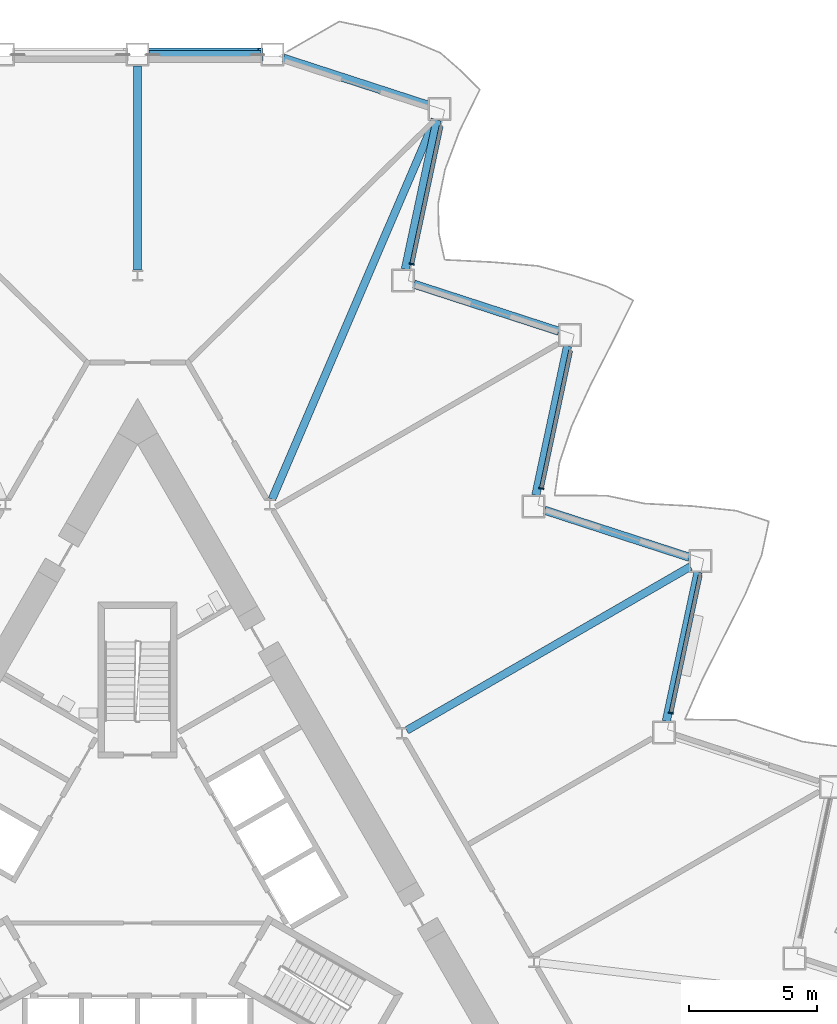
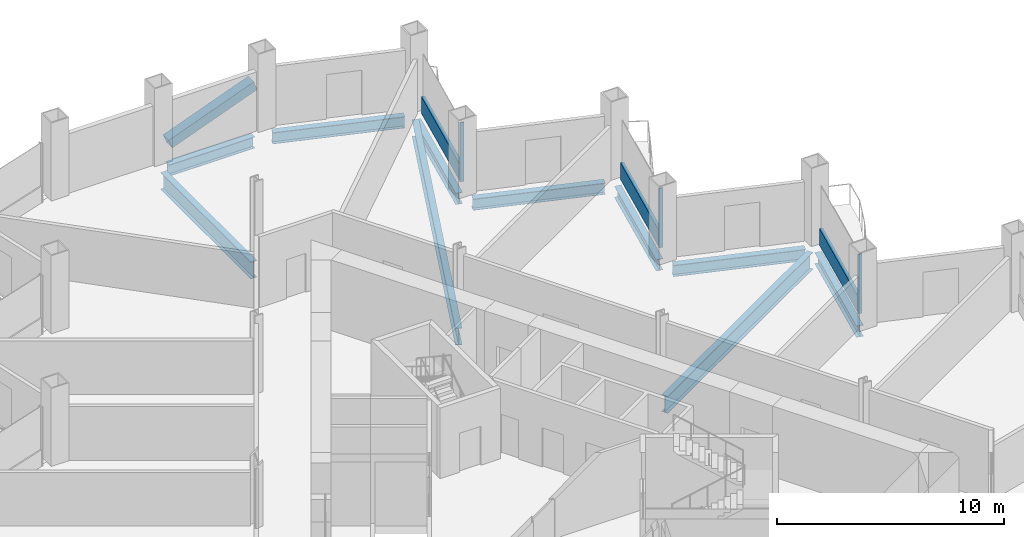
# One storey, part 8 of 21: 10 beams, 7 members, 3 elements without a shape of their own.
"""IFC4 building model written with IfcOpenShell, lengths in metres."""

from ifc_helpers import new_model, si_unit, direction, frame, origin, origin_2d, place, context, subcontext, project, spatial, rectangle, hollow_rectangle, i_section, extrude, material, layer, layer_set, material_profile, profile_set, type_object, element, aggregate, save


model = new_model("IFC4")

# Units and contexts
model_context = context("Model", 3, precision=1e-05, world=origin(), true_north=direction((0.0, 1.0)))
body_context = subcontext(model_context, "Body", "Model", "MODEL_VIEW")
ifc_project = project(units=[si_unit("LENGTHUNIT", "METRE"), si_unit("AREAUNIT", "SQUARE_METRE"), si_unit("VOLUMEUNIT", "CUBIC_METRE"), si_unit("PLANEANGLEUNIT", "RADIAN"), si_unit("MASSUNIT", "GRAM", prefix="KILO")], contexts=[model_context])

# Site, building, storey
site_placement = place(None, origin())
site = spatial("IfcSite", under=ifc_project, at=site_placement, CompositionType="ELEMENT")
building_placement = place(site_placement, origin())
building = spatial("IfcBuilding", under=site, at=building_placement, Name="Cormorant Prow Tower", CompositionType="ELEMENT")
storey_placement = place(building_placement, frame((0.0, 0.0, 137.39990234375)))
storey = spatial("IfcBuildingStorey", under=building, at=storey_placement, Name="L29", CompositionType="ELEMENT", Elevation=137.39990234375)

# Member
ifc_material_1 = material(Name="Structural steel ASTM A500 Gr C", Category="steel")
ifc_material_profile_1 = material_profile(ifc_material_1, hollow_rectangle(XDim=0.508056640625, YDim=0.508056640625, WallThickness=0.014892578125, at=origin_2d()), Name="HSS20x20x5/8")
ifc_profile_set_1 = profile_set([ifc_material_profile_1], Name="Structural steel ASTM A500 Gr C")
member_type_1 = type_object("IfcMemberType", Name="Chamfer brace HSS20x20x5/8", PredefinedType="BRACE", material=ifc_profile_set_1)
member_1_placement = place(storey_placement, frame((0.4677734375, 32.487060546875, 0.776611328125), z_axis=(0.935582009332, 0.0, 0.353109478511), x_axis=(0.0, 1.0, 0.0)))
element("IfcMember", 1, at=member_1_placement, inside=storey, type_object=member_type_1, Name="Chamfer brace BR1 at N00 L29", PredefinedType="BRACE", context=body_context, shape_type="SweptSolid", body=[
    extrude(hollow_rectangle(XDim=0.508056640625, YDim=0.508056640625, WallThickness=0.014892578125, at=origin_2d()), origin(), (0.0, 0.0, 1.0), 4.63232421875),
])

# Curtain wall, member
ifc_material_2 = material(Name="Aluminium 6063-T6", Category="aluminium")
ifc_layer = layer(ifc_material_2, 0.199951171875)
ifc_layer_set = layer_set([ifc_layer], Name="Aluminium 6063-T6")
curtain_wall_type = type_object("IfcCurtainWallType", Name="Office unitised curtain wall 200", PredefinedType="NOTDEFINED", material=ifc_layer_set)
curtain_wall_1_placement = place(storey_placement, origin())
curtain_wall_1 = element("IfcCurtainWall", 2, at=curtain_wall_1_placement, inside=storey, type_object=curtain_wall_type, Name="Office curtain wall ENE04", PredefinedType="NOTDEFINED")
ifc_material_3 = material(Name="Aluminium 6063-T6", Category="aluminium")
ifc_material_profile_2 = material_profile(ifc_material_3, rectangle(XDim=0.199951171875, YDim=0.06005859375, at=origin_2d()), Name="Office mullion 60x200")
ifc_profile_set_2 = profile_set([ifc_material_profile_2], Name="Aluminium 6063-T6")
member_type_2 = type_object("IfcMemberType", Name="Office mullion 60x200", PredefinedType="MULLION", material=ifc_profile_set_2)
member_2_placement = place(storey_placement, frame((20.846923828125, 6.759521484375, 0.0), z_axis=(0.0, 0.0, 1.0), x_axis=(-0.978147600915, 0.207911689964, 0.0)))
member_2 = element("IfcMember", 3, at=member_2_placement, type_object=member_type_2, Name="Office mullion ENE04", PredefinedType="MULLION", context=body_context, shape_type="SweptSolid", body=[
    extrude(rectangle(XDim=0.199951171875, YDim=0.06005859375, at=origin_2d()), origin(), (0.0, 0.0, 1.0), 3.18896484375),
])

curtain_wall_2_placement = place(storey_placement, origin())
curtain_wall_2 = element("IfcCurtainWall", 4, at=curtain_wall_2_placement, inside=storey, type_object=curtain_wall_type, Name="Office curtain wall ENE06", PredefinedType="NOTDEFINED")
member_3_placement = place(storey_placement, frame((15.782470703125, 15.531494140625, 0.0), z_axis=(0.0, 0.0, 1.0), x_axis=(-0.978147594572, 0.207911719806, 0.0)))
member_3 = element("IfcMember", 5, at=member_3_placement, type_object=member_type_2, Name="Office mullion ENE06", PredefinedType="MULLION", context=body_context, shape_type="SweptSolid", body=[
    extrude(rectangle(XDim=0.199951171875, YDim=0.06005859375, at=origin_2d()), origin(), (0.0, 0.0, 1.0), 3.18896484375),
])

curtain_wall_3_placement = place(storey_placement, origin())
curtain_wall_3 = element("IfcCurtainWall", 6, at=curtain_wall_3_placement, inside=storey, type_object=curtain_wall_type, Name="Office curtain wall ENE08", PredefinedType="NOTDEFINED")
member_4_placement = place(storey_placement, frame((10.7177734375, 24.303466796875, 0.0), z_axis=(0.0, 0.0, 1.0), x_axis=(-0.978147594572, 0.207911719806, 0.0)))
member_4 = element("IfcMember", 7, at=member_4_placement, type_object=member_type_2, Name="Office mullion ENE08", PredefinedType="MULLION", context=body_context, shape_type="SweptSolid", body=[
    extrude(rectangle(XDim=0.199951171875, YDim=0.06005859375, at=origin_2d()), origin(), (0.0, 0.0, 1.0), 3.18896484375),
])

# Member
ifc_material_4 = material(Name="Terracotta", Category="masonry")
ifc_material_profile_3 = material_profile(ifc_material_4, rectangle(XDim=0.159912109375, YDim=0.89990234375, at=origin_2d()), Name="Office terracotta spandrel rail 160x900")
ifc_profile_set_3 = profile_set([ifc_material_profile_3], Name="Terracotta")
member_type_3 = type_object("IfcMemberType", Name="Office terracotta spandrel rail 160x900", PredefinedType="USERDEFINED", material=ifc_profile_set_3)
member_5_placement = place(storey_placement, frame((20.85302734375, 6.788818359375, 0.4501953125), z_axis=(0.207944495364, 0.978140627337, 0.0), x_axis=(-0.978140627337, 0.207944495364, 0.0)))
member_5 = element("IfcMember", 8, at=member_5_placement, type_object=member_type_3, Name="Office spandrel rail ENE04", ObjectType="TRANSOM", PredefinedType="USERDEFINED", context=body_context, shape_type="SweptSolid", body=[
    extrude(rectangle(XDim=0.159912109375, YDim=0.89990234375, at=origin_2d()), origin(), (0.0, 0.0, 1.0), 5.48291015625),
])

aggregate(curtain_wall_1, [member_2, member_5])

member_6_placement = place(storey_placement, frame((15.78857421875, 15.560791015625, 0.4501953125), z_axis=(0.207892837643, 0.97815160791, 0.0), x_axis=(-0.97815160791, 0.207892837643, 0.0)))
member_6 = element("IfcMember", 9, at=member_6_placement, type_object=member_type_3, Name="Office spandrel rail ENE06", ObjectType="TRANSOM", PredefinedType="USERDEFINED", context=body_context, shape_type="SweptSolid", body=[
    extrude(rectangle(XDim=0.159912109375, YDim=0.89990234375, at=origin_2d()), origin(), (0.0, 0.0, 1.0), 5.483154296875),
])

aggregate(curtain_wall_2, [member_3, member_6])

member_7_placement = place(storey_placement, frame((10.72412109375, 24.332763671875, 0.4501953125), z_axis=(0.207892837643, 0.97815160791, 0.0), x_axis=(-0.97815160791, 0.207892837643, 0.0)))
member_7 = element("IfcMember", 10, at=member_7_placement, type_object=member_type_3, Name="Office spandrel rail ENE08", ObjectType="TRANSOM", PredefinedType="USERDEFINED", context=body_context, shape_type="SweptSolid", body=[
    extrude(rectangle(XDim=0.159912109375, YDim=0.89990234375, at=origin_2d()), origin(), (0.0, 0.0, 1.0), 5.483154296875),
])

aggregate(curtain_wall_3, [member_4, member_7])

# Beams
ifc_material_5 = material(Name="Structural steel ASTM A992 Gr 50", Category="steel")
ifc_material_profile_4 = material_profile(ifc_material_5, i_section(OverallWidth=0.3046875, OverallDepth=0.914794921875, WebThickness=0.0166015625, FlangeThickness=0.02587890625, at=origin_2d()), Name="W36x160")
ifc_profile_set_4 = profile_set([ifc_material_profile_4], Name="Structural steel ASTM A992 Gr 50")
beam_type_1 = type_object("IfcBeamType", Name="Radial floor beam W36x160", PredefinedType="BEAM", material=ifc_profile_set_4)
beam_1_placement = place(storey_placement, frame((0.0, 24.070068359375, -0.857177734375), z_axis=(0.0, 1.0, 0.0), x_axis=(-1.0, 0.0, 0.0)))
element("IfcBeam", 11, at=beam_1_placement, inside=storey, type_object=beam_type_1, Name="Radial floor beam FB1 1 L29", PredefinedType="BEAM", context=body_context, shape_type="SweptSolid", body=[
    extrude(i_section(OverallWidth=0.3046875, OverallDepth=0.914794921875, WebThickness=0.0166015625, FlangeThickness=0.02587890625, at=origin_2d()), origin(), (0.0, 0.0, 1.0), 7.966796875),
])
beam_2_placement = place(storey_placement, frame((10.516845703125, 6.07177734375, -0.857177734375), z_axis=(0.866021760006, 0.500006311156, 0.0), x_axis=(-0.500006311156, 0.866021760006, 0.0)))
element("IfcBeam", 12, at=beam_2_placement, inside=storey, type_object=beam_type_1, Name="Radial floor beam FB1 11 L29", PredefinedType="BEAM", context=body_context, shape_type="SweptSolid", body=[
    extrude(i_section(OverallWidth=0.3046875, OverallDepth=0.914794921875, WebThickness=0.0166015625, FlangeThickness=0.02587890625, at=origin_2d()), origin(), (0.0, 0.0, 1.0), 12.805419921875),
])
beam_3_placement = place(storey_placement, frame((5.25, 15.107666015625, -0.857177734375), z_axis=(0.394273140268, 0.918993302948, 0.0), x_axis=(-0.918993302948, 0.394273140268, 0.0)))
element("IfcBeam", 13, at=beam_3_placement, inside=storey, type_object=beam_type_1, Name="Radial floor beam FB1 12 L29", PredefinedType="BEAM", context=body_context, shape_type="SweptSolid", body=[
    extrude(i_section(OverallWidth=0.3046875, OverallDepth=0.914794921875, WebThickness=0.0166015625, FlangeThickness=0.02587890625, at=origin_2d()), origin(), (0.0, 0.0, 1.0), 16.153564453125),
])
ifc_material_6 = material(Name="Structural steel ASTM A992 Gr 50", Category="steel")
ifc_material_profile_5 = material_profile(ifc_material_6, i_section(OverallWidth=0.32373046875, OverallDepth=0.611083984375, WebThickness=0.0126953125, FlangeThickness=0.01904296875, at=origin_2d()), Name="W24x104")
ifc_profile_set_5 = profile_set([ifc_material_profile_5], Name="Structural steel ASTM A992 Gr 50")
beam_type_2 = type_object("IfcBeamType", Name="Spandrel beam W24x104", PredefinedType="SPANDREL", material=ifc_profile_set_5)
beam_4_placement = place(storey_placement, frame((20.6630859375, 6.427001953125, -0.70556640625), z_axis=(0.207912620873, 0.978147403044, 0.0), x_axis=(-0.978147403044, 0.207912620873, 0.0)))
element("IfcBeam", 14, at=beam_4_placement, inside=storey, type_object=beam_type_2, Name="Spandrel beam SB1 ENE04-ENE05 L29", PredefinedType="SPANDREL", context=body_context, shape_type="SweptSolid", body=[
    extrude(i_section(OverallWidth=0.32373046875, OverallDepth=0.611083984375, WebThickness=0.0126953125, FlangeThickness=0.01904296875, at=origin_2d()), origin(), (0.0, 0.0, 1.0), 5.962890625),
])
for number, where, z_axis, x_axis, name in (
    (15, (21.568359375, 12.838623046875, -0.70556640625), (-0.951059340519, 0.309008302174, 0.0), (-0.309008302174, -0.951059340519, 0.0), "Spandrel beam SB1 ENE05-ENE06 L29"),
    (16, (15.56298828125, 15.260498046875, -0.70556640625), (0.207920947907, 0.978145633033, 0.0), (-0.978145633033, 0.207920947907, 0.0), "Spandrel beam SB1 ENE06-ENE07 L29"),
):
    element("IfcBeam", number, at=place(storey_placement, frame(where, z_axis=z_axis, x_axis=x_axis)), inside=storey, type_object=beam_type_2, Name=name, PredefinedType="SPANDREL", context=body_context, shape_type="SweptSolid", body=[
        extrude(i_section(OverallWidth=0.32373046875, OverallDepth=0.611083984375, WebThickness=0.0126953125, FlangeThickness=0.01904296875, at=origin_2d()), origin(), (0.0, 0.0, 1.0), 5.962646484375),
    ])
beam_5_placement = place(storey_placement, frame((16.468505859375, 21.671875, -0.70556640625), z_axis=(-0.95104730696, 0.309045336358, 0.0), x_axis=(-0.309045336358, -0.95104730696, 0.0)))
element("IfcBeam", 17, at=beam_5_placement, inside=storey, type_object=beam_type_2, Name="Spandrel beam SB1 ENE07-ENE08 L29", PredefinedType="SPANDREL", context=body_context, shape_type="SweptSolid", body=[
    extrude(i_section(OverallWidth=0.32373046875, OverallDepth=0.611083984375, WebThickness=0.0126953125, FlangeThickness=0.01904296875, at=origin_2d()), origin(), (0.0, 0.0, 1.0), 5.962890625),
])
beam_6_placement = place(storey_placement, frame((10.463134765625, 24.09375, -0.70556640625), z_axis=(0.207920947907, 0.978145633033, 0.0), x_axis=(-0.978145633033, 0.207920947907, 0.0)))
element("IfcBeam", 18, at=beam_6_placement, inside=storey, type_object=beam_type_2, Name="Spandrel beam SB1 ENE08-ENE09 L29", PredefinedType="SPANDREL", context=body_context, shape_type="SweptSolid", body=[
    extrude(i_section(OverallWidth=0.32373046875, OverallDepth=0.611083984375, WebThickness=0.0126953125, FlangeThickness=0.01904296875, at=origin_2d()), origin(), (0.0, 0.0, 1.0), 5.962646484375),
])
beam_7_placement = place(storey_placement, frame((11.368408203125, 30.50537109375, -0.70556640625), z_axis=(-0.951055430656, 0.309020335608, 0.0), x_axis=(-0.309020335608, -0.951055430656, 0.0)))
element("IfcBeam", 19, at=beam_7_placement, inside=storey, type_object=beam_type_2, Name="Spandrel beam SB1 ENE09-N00 L29", PredefinedType="SPANDREL", context=body_context, shape_type="SweptSolid", body=[
    extrude(i_section(OverallWidth=0.32373046875, OverallDepth=0.611083984375, WebThickness=0.0126953125, FlangeThickness=0.01904296875, at=origin_2d()), origin(), (0.0, 0.0, 1.0), 5.96240234375),
])
beam_8_placement = place(storey_placement, frame((4.819580078125, 32.487060546875, -0.70556640625), z_axis=(-1.0, 0.0, 0.0), x_axis=(0.0, -1.0, 0.0)))
element("IfcBeam", 20, at=beam_8_placement, inside=storey, type_object=beam_type_2, Name="Spandrel beam SB1 N00-N01 L29", PredefinedType="SPANDREL", context=body_context, shape_type="SweptSolid", body=[
    extrude(i_section(OverallWidth=0.32373046875, OverallDepth=0.611083984375, WebThickness=0.0126953125, FlangeThickness=0.01904296875, at=origin_2d()), origin(), (0.0, 0.0, 1.0), 4.36962890625),
])

save(model, "model.ifc")
